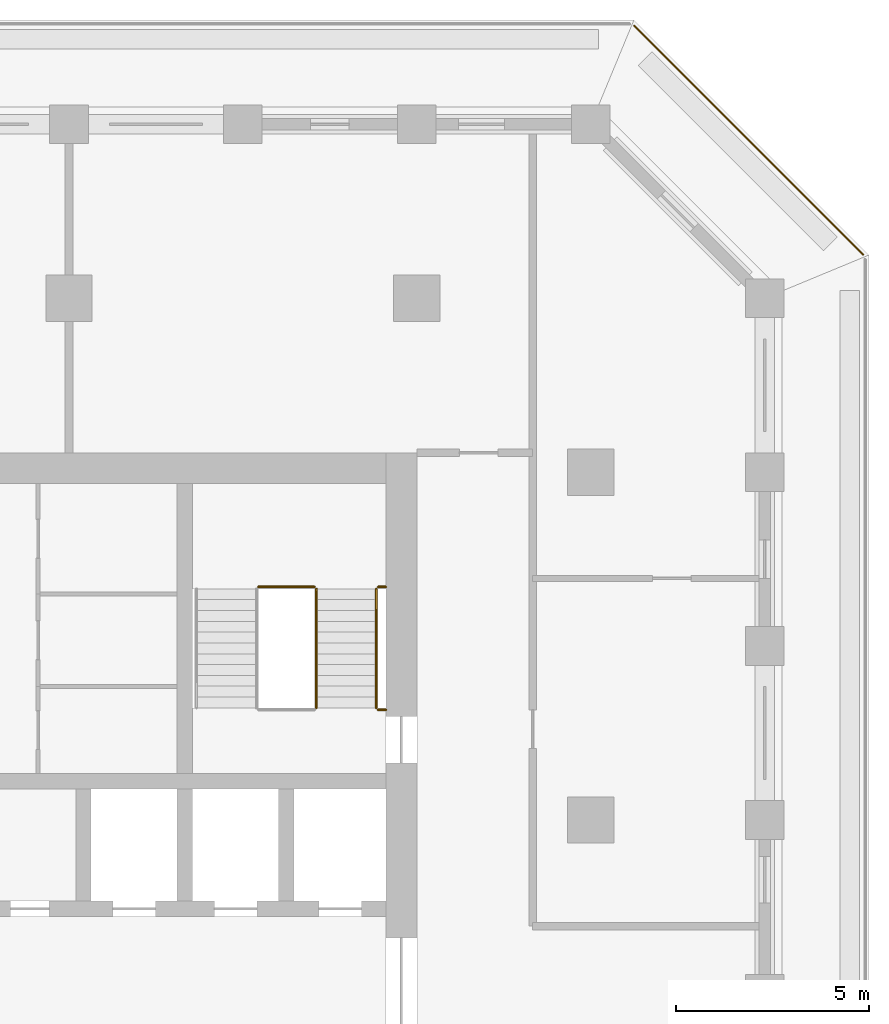
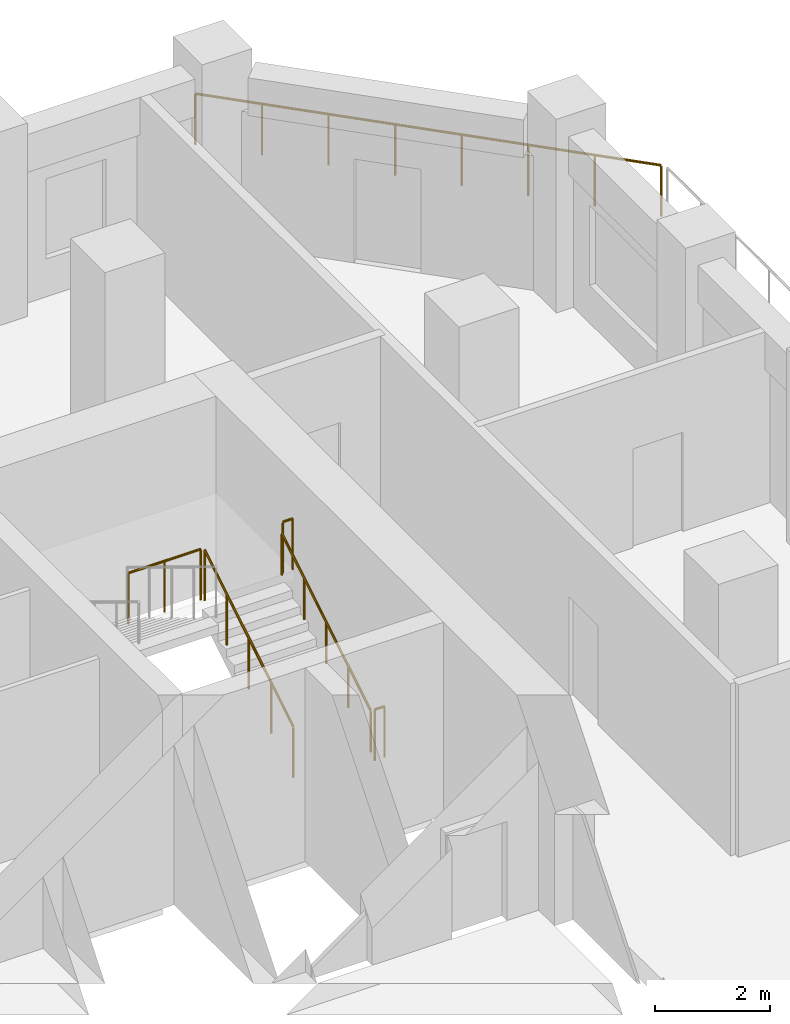
# One storey, part 15 of 16: 6 railings.
"""IFC4 building model written with IfcOpenShell, lengths in metres."""

from ifc_helpers import new_model, si_unit, direction, frame, origin, origin_2d, place, context, subcontext, project, spatial, circle, extrude, material, type_object, element, save


model = new_model("IFC4")

# Units and contexts
model_context = context("Model", 3, precision=1e-05, world=origin(), true_north=direction((0.0, 1.0)))
body_context = subcontext(model_context, "Body", "Model", "MODEL_VIEW")
ifc_project = project(units=[si_unit("LENGTHUNIT", "METRE"), si_unit("AREAUNIT", "SQUARE_METRE"), si_unit("VOLUMEUNIT", "CUBIC_METRE"), si_unit("PLANEANGLEUNIT", "RADIAN"), si_unit("MASSUNIT", "GRAM", prefix="KILO")], contexts=[model_context])

# Site, building, storey
site_placement = place(None, origin())
site = spatial("IfcSite", under=ifc_project, at=site_placement, CompositionType="ELEMENT")
building_placement = place(site_placement, origin())
building = spatial("IfcBuilding", under=site, at=building_placement, Name="Corbel Stack Research Tower", CompositionType="ELEMENT")
storey_placement = place(building_placement, frame((0.0, 0.0, 169.10009765625)))
storey = spatial("IfcBuildingStorey", under=building, at=storey_placement, Name="L38", CompositionType="ELEMENT", Elevation=169.10009765625)

# Railings
ifc_material_1 = material(Name="Steel S355", Category="steel")
railing_type_1 = type_object("IfcRailingType", Name="Stair guard 1100", PredefinedType="GUARDRAIL", material=ifc_material_1)
railing_1_placement = place(storey_placement, frame((15.39990234375, 11.89990234375, 0.170654296875)))
element("IfcRailing", 1, at=railing_1_placement, inside=storey, type_object=railing_type_1, Name="L38 ST-E2 stair guard 1", PredefinedType="GUARDRAIL", context=body_context, shape_type="SweptSolid", body=[
    extrude(circle(Radius=0.02392578125, at=origin_2d()), frame((0.0, 0.0, 1.076171875), z_axis=(0.0, 0.853666305674, 0.52082035152), x_axis=(-1.0, 0.0, 0.0)), (0.0, 0.0, 1.0), 3.608154296875),
    extrude(circle(Radius=0.02099609375, at=origin_2d()), origin(), (0.0, 0.0, 1.0), 1.052001953125),
    extrude(circle(Radius=0.02099609375, at=origin_2d()), frame((0.0, 0.77001953125, 0.4697265625)), (0.0, 0.0, 1.0), 1.052001953125),
    extrude(circle(Radius=0.02099609375, at=origin_2d()), frame((0.0, 1.5400390625, 0.939453125)), (0.0, 0.0, 1.0), 1.052001953125),
    extrude(circle(Radius=0.02099609375, at=origin_2d()), frame((0.0, 2.31005859375, 1.409423828125)), (0.0, 0.0, 1.0), 1.052001953125),
    extrude(circle(Radius=0.02099609375, at=origin_2d()), frame((0.0, 3.080078125, 1.879150390625)), (0.0, 0.0, 1.0), 1.052001953125),
])
railing_2_placement = place(storey_placement, frame((15.35009765625, 15.030029296875, 2.0498046875)))
element("IfcRailing", 2, at=railing_2_placement, inside=storey, type_object=railing_type_1, Name="L38 ST-E2 stair guard 2", PredefinedType="GUARDRAIL", context=body_context, shape_type="SweptSolid", body=[
    extrude(circle(Radius=0.02392578125, at=origin_2d()), frame((0.0, 0.0, 1.076171875), z_axis=(-1.0, 0.0, 0.0), x_axis=(0.0, -1.0, 0.0)), (0.0, 0.0, 1.0), 1.4501953125),
    extrude(circle(Radius=0.02099609375, at=origin_2d()), origin(), (0.0, 0.0, 1.0), 1.052001953125),
    extrude(circle(Radius=0.02099609375, at=origin_2d()), frame((-0.72509765625, 0.0, 0.0)), (0.0, 0.0, 1.0), 1.052001953125),
    extrude(circle(Radius=0.02099609375, at=origin_2d()), frame((-1.4501953125, 0.0, 0.0)), (0.0, 0.0, 1.0), 1.052001953125),
])
for number, where, name in (
    (3, (17.199951171875, 15.030029296875, 2.0498046875), "L38 ST-E2 stair guard 3"),
    (4, (17.199951171875, 11.85009765625, 0.0), "L38 ST-E2 stair guard 6"),
):
    element("IfcRailing", number, at=place(storey_placement, frame(where)), inside=storey, type_object=railing_type_1, Name=name, PredefinedType="GUARDRAIL", context=body_context, shape_type="SweptSolid", body=[
        extrude(circle(Radius=0.02392578125, at=origin_2d()), frame((0.0, 0.0, 1.076171875), z_axis=(-1.0, 0.0, 0.0), x_axis=(0.0, -1.0, 0.0)), (0.0, 0.0, 1.0), 0.199951171875),
        extrude(circle(Radius=0.02099609375, at=origin_2d()), origin(), (0.0, 0.0, 1.0), 1.052001953125),
        extrude(circle(Radius=0.02099609375, at=origin_2d()), frame((-0.199951171875, 0.0, 0.0)), (0.0, 0.0, 1.0), 1.052001953125),
    ])
ifc_material_2 = material(Name="Steel S355", Category="steel")
railing_type_2 = type_object("IfcRailingType", Name="Stair handrail 900", PredefinedType="HANDRAIL", material=ifc_material_2)
railing_3_placement = place(storey_placement, frame((16.949951171875, 11.89990234375, 0.170654296875)))
element("IfcRailing", 5, at=railing_3_placement, inside=storey, type_object=railing_type_2, Name="L38 ST-E2 stair handrail 1", PredefinedType="HANDRAIL", context=body_context, shape_type="SweptSolid", body=[
    extrude(circle(Radius=0.02392578125, at=origin_2d()), frame((0.0, 0.0, 0.8759765625), z_axis=(0.0, 0.853666305674, 0.52082035152), x_axis=(-1.0, 0.0, 0.0)), (0.0, 0.0, 1.0), 3.608154296875),
    extrude(circle(Radius=0.02099609375, at=origin_2d()), origin(), (0.0, 0.0, 1.0), 0.851806640625),
    extrude(circle(Radius=0.02099609375, at=origin_2d()), frame((0.0, 0.77001953125, 0.4697265625)), (0.0, 0.0, 1.0), 0.851806640625),
    extrude(circle(Radius=0.02099609375, at=origin_2d()), frame((0.0, 1.5400390625, 0.939453125)), (0.0, 0.0, 1.0), 0.851806640625),
    extrude(circle(Radius=0.02099609375, at=origin_2d()), frame((0.0, 2.31005859375, 1.409423828125)), (0.0, 0.0, 1.0), 0.851806640625),
    extrude(circle(Radius=0.02099609375, at=origin_2d()), frame((0.0, 3.080078125, 1.879150390625)), (0.0, 0.0, 1.0), 0.851806640625),
])
ifc_material_3 = material(Name="Powder-coated steel guard", Category="steel")
railing_type_3 = type_object("IfcRailingType", Name="Steel and glass guard 1100", PredefinedType="GUARDRAIL", material=ifc_material_3)
railing_4_placement = place(storey_placement, frame((29.54931640625, 23.627685546875, 0.0)))
element("IfcRailing", 6, at=railing_4_placement, inside=storey, type_object=railing_type_3, Name="Loggia guard L38 NE", PredefinedType="GUARDRAIL", context=body_context, shape_type="SweptSolid", body=[
    extrude(circle(Radius=0.02392578125, at=origin_2d()), frame((0.0, 0.0, 1.076171875), z_axis=(-0.707106781187, 0.707106781187, 0.0), x_axis=(-0.707106781187, -0.707106781187, 0.0)), (0.0, 0.0, 1.0), 8.37451171875),
    extrude(circle(Radius=0.02099609375, at=origin_2d()), origin(), (0.0, 0.0, 1.0), 1.052001953125),
    extrude(circle(Radius=0.02099609375, at=origin_2d()), frame((-0.845947265625, 0.845947265625, 0.0)), (0.0, 0.0, 1.0), 1.052001953125),
    extrude(circle(Radius=0.02099609375, at=origin_2d()), frame((-1.69189453125, 1.69189453125, 0.0)), (0.0, 0.0, 1.0), 1.052001953125),
    extrude(circle(Radius=0.02099609375, at=origin_2d()), frame((-2.537841796875, 2.537841796875, 0.0)), (0.0, 0.0, 1.0), 1.052001953125),
    extrude(circle(Radius=0.02099609375, at=origin_2d()), frame((-3.3837890625, 3.3837890625, 0.0)), (0.0, 0.0, 1.0), 1.052001953125),
    extrude(circle(Radius=0.02099609375, at=origin_2d()), frame((-4.229736328125, 4.229736328125, 0.0)), (0.0, 0.0, 1.0), 1.052001953125),
    extrude(circle(Radius=0.02099609375, at=origin_2d()), frame((-5.07568359375, 5.07568359375, 0.0)), (0.0, 0.0, 1.0), 1.052001953125),
    extrude(circle(Radius=0.02099609375, at=origin_2d()), frame((-5.921630859375, 5.921630859375, 0.0)), (0.0, 0.0, 1.0), 1.052001953125),
])

save(model, "model.ifc")
